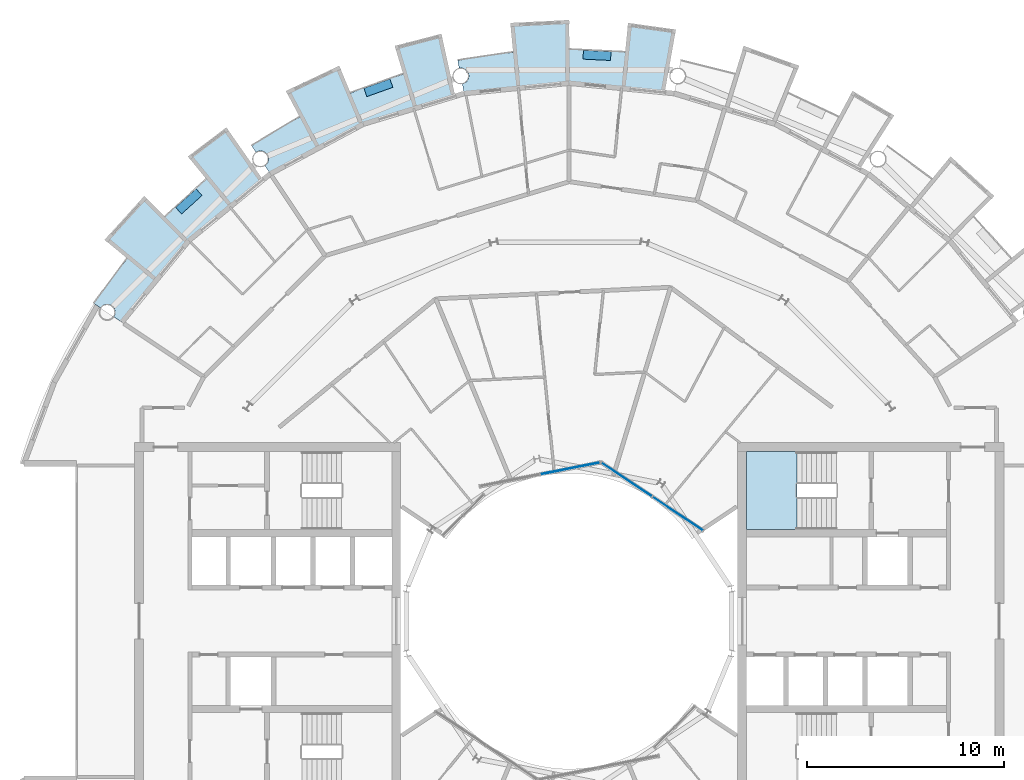
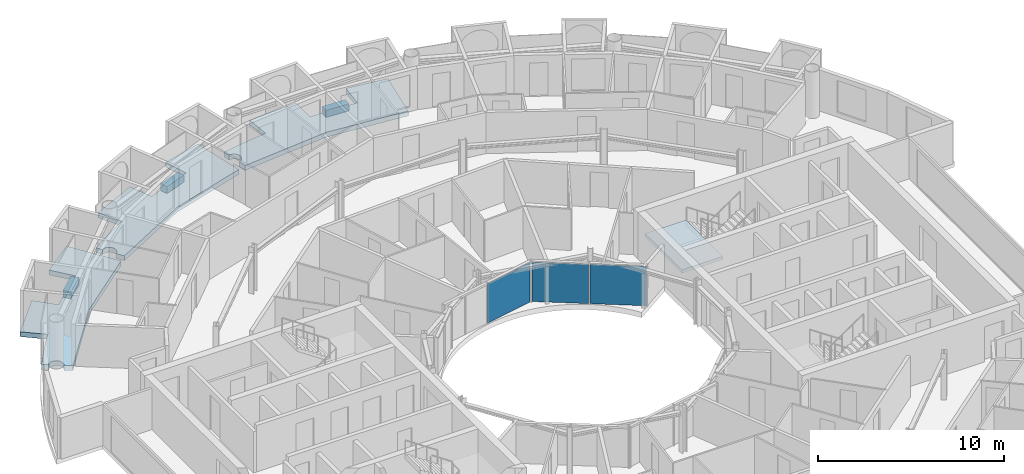
# One storey, part 13 of 29: 7 slabs, 3 plates, 3 elements without a shape of their own.
"""IFC4 building model written with IfcOpenShell, lengths in metres."""

from ifc_helpers import new_model, si_unit, direction, frame, origin, origin_2d, place, context, subcontext, project, spatial, polyline, rectangle, outline, extrude, material, layer, layer_set, type_object, element, aggregate, save


model = new_model("IFC4")

# Units and contexts
model_context = context("Model", 3, precision=1e-05, world=origin(), true_north=direction((0.0, 1.0)))
body_context = subcontext(model_context, "Body", "Model", "MODEL_VIEW")
ifc_project = project(units=[si_unit("LENGTHUNIT", "METRE"), si_unit("AREAUNIT", "SQUARE_METRE"), si_unit("VOLUMEUNIT", "CUBIC_METRE"), si_unit("PLANEANGLEUNIT", "RADIAN"), si_unit("MASSUNIT", "GRAM", prefix="KILO")], contexts=[model_context])

# Site, building, storey
site_placement = place(None, origin())
site = spatial("IfcSite", under=ifc_project, at=site_placement, CompositionType="ELEMENT")
building_placement = place(site_placement, origin())
building = spatial("IfcBuilding", under=site, at=building_placement, Name="Maasbend Ring Residences", CompositionType="ELEMENT")
storey_placement = place(building_placement, frame((0.0, 0.0, 202.39990234375)))
storey = spatial("IfcBuildingStorey", under=building, at=storey_placement, Name="L58", CompositionType="ELEMENT", Elevation=202.39990234375)

# Stair, slab
ifc_material_1 = material(Name="Concrete C40/50", Category="concrete")
stair_type = type_object("IfcStairType", Name="CORE STAIR 18 RISERS", PredefinedType="HALF_TURN_STAIR", material=ifc_material_1)
stair_placement = place(storey_placement, origin())
stair = element("IfcStair", 1, at=stair_placement, inside=storey, type_object=stair_type, Name="L58 Exit stair ST-E1", PredefinedType="HALF_TURN_STAIR")
ifc_material_2 = material(Name="Concrete C40/50", Category="concrete")
ifc_layer_1 = layer(ifc_material_2, 0.199951171875)
ifc_layer_set_1 = layer_set([ifc_layer_1], Name="Concrete C40/50")
slab_type_1 = type_object("IfcSlabType", Name="CORE STAIR LANDING 200", PredefinedType="LANDING", material=ifc_layer_set_1)
slab_1_placement = place(storey_placement, frame((0.0, 0.0, 1.3251953125)))
slab_1 = element("IfcSlab", 2, at=slab_1_placement, type_object=slab_type_1, Name="ST-E1 landing 1", PredefinedType="LANDING", context=body_context, shape_type="SweptSolid", body=[
    extrude(outline(polyline([(11.550048828125, 8.60009765625), (9.0, 8.60009765625), (9.0, 4.64990234375), (11.550048828125, 4.64990234375), (11.550048828125, 8.60009765625)])), origin(), (0.0, 0.0, 1.0), 0.199951171875),
])
aggregate(stair, [slab_1])

# Curtain wall, plates
ifc_material_3 = material(Name="Aluminium and clear glass", Category="aluminium")
ifc_layer_2 = layer(ifc_material_3, 0.179931640625)
ifc_layer_set_2 = layer_set([ifc_layer_2], Name="CW-W")
curtain_wall_type = type_object("IfcCurtainWallType", Name="CW-W", PredefinedType="NOTDEFINED", material=ifc_layer_set_2)
curtain_wall_1_placement = place(storey_placement, origin())
curtain_wall_1 = element("IfcCurtainWall", 3, at=curtain_wall_1_placement, inside=storey, type_object=curtain_wall_type, Name="Well curtain wall N1", PredefinedType="NOTDEFINED")
ifc_material_4 = material(Name="Glass clear laminated", Category="glass")
ifc_layer_3 = layer(ifc_material_4, 0.031982421875)
ifc_layer_set_3 = layer_set([ifc_layer_3], Name="CWP-W")
plate_type = type_object("IfcPlateType", Name="CWP-W", PredefinedType="CURTAIN_PANEL", material=ifc_layer_set_3)
plate_1_placement = place(storey_placement, frame((5.51123046875, 5.44580078125, 0.0), z_axis=(0.0, 0.0, 1.0), x_axis=(-0.831469612303, 0.55557023302, 0.0)))
plate_1 = element("IfcPlate", 4, at=plate_1_placement, type_object=plate_type, Name="Glass panel well face", PredefinedType="CURTAIN_PANEL", context=body_context, shape_type="SweptSolid", body=[
    extrude(rectangle(XDim=3.053955078125, YDim=0.031982421875, at=origin_2d()), origin(), (0.0, 0.0, 1.0), 2.580078125),
])
plate_2_placement = place(storey_placement, frame((2.922119140625, 7.17578125, 0.0), z_axis=(0.0, 0.0, 1.0), x_axis=(-0.831469612303, 0.55557023302, 0.0)))
plate_2 = element("IfcPlate", 5, at=plate_2_placement, type_object=plate_type, Name="Glass panel well face", PredefinedType="CURTAIN_PANEL", context=body_context, shape_type="SweptSolid", body=[
    extrude(rectangle(XDim=3.053955078125, YDim=0.031982421875, at=origin_2d()), origin(), (0.0, 0.0, 1.0), 2.580078125),
])
aggregate(curtain_wall_1, [plate_1, plate_2])

# Curtain wall, plate
curtain_wall_2_placement = place(storey_placement, origin())
curtain_wall_2 = element("IfcCurtainWall", 6, at=curtain_wall_2_placement, inside=storey, type_object=curtain_wall_type, Name="Well curtain wall N2", PredefinedType="NOTDEFINED")
plate_3_placement = place(storey_placement, frame((0.04638671875, 7.747802734375, 0.0), z_axis=(0.0, 0.0, 1.0), x_axis=(-0.980785280403, -0.195090322016, 0.0)))
plate_3 = element("IfcPlate", 7, at=plate_3_placement, type_object=plate_type, Name="Glass panel well face", PredefinedType="CURTAIN_PANEL", context=body_context, shape_type="SweptSolid", body=[
    extrude(rectangle(XDim=3.053955078125, YDim=0.031982421875, at=origin_2d()), origin(), (0.0, 0.0, 1.0), 2.580078125),
])
aggregate(curtain_wall_2, [plate_3])

# Slabs
ifc_material_5 = material(Name="Planting with climbing greenery")
ifc_layer_4 = layer(ifc_material_5, 0.449951171875)
ifc_layer_set_4 = layer_set([ifc_layer_4], Name="PLANTER-LG")
slab_type_2 = type_object("IfcSlabType", Name="PLANTER-LG", PredefinedType="USERDEFINED", material=ifc_layer_set_4)
slab_2_placement = place(storey_placement, frame((0.0, 0.0, -0.02978515625)))
element("IfcSlab", 8, at=slab_2_placement, inside=storey, type_object=slab_type_2, Name="Planter with climbing greenery 3", ObjectType="PLANTER", PredefinedType="USERDEFINED", context=body_context, shape_type="SweptSolid", body=[
    extrude(outline(polyline([(2.1201171875, 28.89599609375), (0.721923828125, 28.965087890625), (0.699951171875, 28.514892578125), (2.097900390625, 28.446044921875), (2.1201171875, 28.89599609375)])), origin(), (0.0, 0.0, 1.0), 0.449951171875),
])
slab_3_placement = place(storey_placement, frame((0.0, 0.0, -0.02978515625)))
element("IfcSlab", 9, at=slab_3_placement, inside=storey, type_object=slab_type_2, Name="Planter with climbing greenery 4", ObjectType="PLANTER", PredefinedType="USERDEFINED", context=body_context, shape_type="SweptSolid", body=[
    extrude(outline(polyline([(-9.09912109375, 27.508056640625), (-10.4169921875, 27.035888671875), (-10.26611328125, 26.612060546875), (-8.947021484375, 27.083984375), (-9.09912109375, 27.508056640625)])), origin(), (0.0, 0.0, 1.0), 0.449951171875),
])
slab_4_placement = place(storey_placement, frame((0.0, 0.0, -0.02978515625)))
element("IfcSlab", 10, at=slab_4_placement, inside=storey, type_object=slab_type_2, Name="Planter with climbing greenery 5", ObjectType="PLANTER", PredefinedType="USERDEFINED", context=body_context, shape_type="SweptSolid", body=[
    extrude(outline(polyline([(-18.93310546875, 21.931884765625), (-19.969970703125, 20.991943359375), (-19.66796875, 20.657958984375), (-18.631103515625, 21.597900390625), (-18.93310546875, 21.931884765625)])), origin(), (0.0, 0.0, 1.0), 0.449951171875),
])
ifc_material_6 = material(Name="Concrete C40/50", Category="concrete")
ifc_layer_5 = layer(ifc_material_6, 0.199951171875)
ifc_layer_set_5 = layer_set([ifc_layer_5], Name="Concrete C40/50")
slab_type_3 = type_object("IfcSlabType", Name="SL-LOGGIA", PredefinedType="FLOOR", material=ifc_layer_set_5)
slab_5_placement = place(storey_placement, frame((0.0, 0.0, -0.349853515625)))
element("IfcSlab", 11, at=slab_5_placement, inside=storey, type_object=slab_type_3, Name="Loggia floor 1", PredefinedType="FLOOR", context=body_context, shape_type="SweptSolid", body=[
    extrude(outline(polyline([(-14.5, 25.114990234375), (-13.6708984375, 25.574951171875), (-13.6708984375, 25.575927734375), (-13.6708984375, 25.575927734375), (-13.6708984375, 25.575927734375), (-13.6708984375, 25.575927734375), (-13.6708984375, 25.575927734375), (-13.6708984375, 25.575927734375), (-13.6708984375, 25.575927734375), (-13.6708984375, 25.575927734375), (-13.6708984375, 25.575927734375), (-13.6708984375, 25.575927734375), (-13.6708984375, 25.575927734375), (-13.6708984375, 25.575927734375), (-13.6708984375, 25.575927734375), (-13.6708984375, 25.575927734375), (-13.6708984375, 25.575927734375), (-13.6708984375, 25.575927734375), (-14.3779296875, 26.89892578125), (-14.3779296875, 26.89892578125), (-14.3779296875, 26.89892578125), (-11.672119140625, 28.177978515625), (-11.672119140625, 28.177978515625), (-11.672119140625, 28.177978515625), (-11.097900390625, 26.79296875), (-11.097900390625, 26.79296875), (-11.097900390625, 26.79296875), (-11.097900390625, 26.79296875), (-11.097900390625, 26.79296875), (-11.097900390625, 26.79296875), (-11.097900390625, 26.79296875), (-11.097900390625, 26.79296875), (-11.097900390625, 26.79296875), (-11.097900390625, 26.79296875), (-11.097900390625, 26.79296875), (-11.097900390625, 26.79296875), (-11.097900390625, 26.79296875), (-11.097900390625, 26.79296875), (-11.096923828125, 26.79296875), (-11.096923828125, 26.79296875), (-11.096923828125, 26.79296875), (-10.215087890625, 27.14111328125), (-10.215087890625, 27.14111328125), (-9.322021484375, 27.4609375), (-9.322021484375, 27.4609375), (-8.4189453125, 27.7509765625), (-8.4189453125, 27.7509765625), (-8.4189453125, 27.7509765625), (-8.4189453125, 27.7509765625), (-8.4189453125, 27.7509765625), (-8.4189453125, 27.7509765625), (-8.41796875, 27.7509765625), (-8.41796875, 27.7509765625), (-8.41796875, 27.7509765625), (-8.41796875, 27.7509765625), (-8.41796875, 27.7509765625), (-8.41796875, 27.751953125), (-8.41796875, 27.751953125), (-8.41796875, 27.751953125), (-8.41796875, 27.751953125), (-8.41796875, 27.751953125), (-8.41796875, 27.751953125), (-8.85400390625, 29.18701171875), (-8.85400390625, 29.18701171875), (-8.85400390625, 29.18701171875), (-6.487060546875, 29.802001953125), (-6.487060546875, 29.802001953125), (-6.487060546875, 29.802001953125), (-5.797119140625, 26.633056640625), (-5.797119140625, 26.633056640625), (-5.797119140625, 26.633056640625), (-7.886962890625, 25.9990234375), (-10.447021484375, 25.221923828125), (-10.447021484375, 25.221923828125), (-10.447021484375, 25.221923828125), (-12.806884765625, 23.9609375), (-15.1669921875, 22.698974609375), (-15.1669921875, 22.698974609375), (-15.1669921875, 22.698974609375), (-15.44091796875, 23.10888671875), (-15.43310546875, 23.114990234375), (-15.425048828125, 23.12109375), (-15.4169921875, 23.126953125), (-15.408935546875, 23.133056640625), (-15.402099609375, 23.139892578125), (-15.39404296875, 23.14599609375), (-15.386962890625, 23.153076171875), (-15.3798828125, 23.159912109375), (-15.373046875, 23.1669921875), (-15.365966796875, 23.174072265625), (-15.35888671875, 23.181884765625), (-15.35302734375, 23.18994140625), (-15.346923828125, 23.197021484375), (-15.341064453125, 23.205078125), (-15.3349609375, 23.212890625), (-15.3291015625, 23.221923828125), (-15.323974609375, 23.22998046875), (-15.318115234375, 23.238037109375), (-15.31298828125, 23.2470703125), (-15.30908203125, 23.256103515625), (-15.303955078125, 23.264892578125), (-15.300048828125, 23.27392578125), (-15.294921875, 23.282958984375), (-15.2919921875, 23.2919921875), (-15.2880859375, 23.301025390625), (-15.283935546875, 23.31005859375), (-15.281005859375, 23.320068359375), (-15.278076171875, 23.3291015625), (-15.27490234375, 23.339111328125), (-15.27294921875, 23.34912109375), (-15.27001953125, 23.35791015625), (-15.26806640625, 23.367919921875), (-15.26708984375, 23.3779296875), (-15.264892578125, 23.387939453125), (-15.263916015625, 23.39794921875), (-15.262939453125, 23.407958984375), (-15.261962890625, 23.4169921875), (-15.260986328125, 23.427001953125), (-15.260986328125, 23.43701171875), (-15.260986328125, 23.447021484375), (-15.260986328125, 23.45703125), (-15.260986328125, 23.467041015625), (-15.261962890625, 23.47705078125), (-15.262939453125, 23.487060546875), (-15.263916015625, 23.4970703125), (-15.264892578125, 23.507080078125), (-15.26708984375, 23.51708984375), (-15.26806640625, 23.527099609375), (-15.27001953125, 23.535888671875), (-15.27294921875, 23.5458984375), (-15.27490234375, 23.555908203125), (-15.278076171875, 23.56494140625), (-15.281005859375, 23.574951171875), (-15.283935546875, 23.583984375), (-15.2880859375, 23.593994140625), (-15.2919921875, 23.60302734375), (-15.294921875, 23.612060546875), (-15.300048828125, 23.62109375), (-15.303955078125, 23.6298828125), (-15.30908203125, 23.638916015625), (-15.31298828125, 23.64794921875), (-15.318115234375, 23.656005859375), (-15.323974609375, 23.6650390625), (-15.3291015625, 23.673095703125), (-15.3349609375, 23.680908203125), (-15.341064453125, 23.68994140625), (-15.346923828125, 23.697021484375), (-15.35302734375, 23.705078125), (-15.35888671875, 23.712890625), (-15.365966796875, 23.719970703125), (-15.373046875, 23.72802734375), (-15.3798828125, 23.735107421875), (-15.386962890625, 23.741943359375), (-15.39404296875, 23.7490234375), (-15.402099609375, 23.7548828125), (-15.408935546875, 23.761962890625), (-15.4169921875, 23.76806640625), (-15.425048828125, 23.77392578125), (-15.43310546875, 23.780029296875), (-15.44091796875, 23.784912109375), (-15.449951171875, 23.791015625), (-15.4580078125, 23.7958984375), (-15.467041015625, 23.801025390625), (-15.47509765625, 23.805908203125), (-15.48388671875, 23.81005859375), (-15.492919921875, 23.81494140625), (-15.501953125, 23.819091796875), (-15.511962890625, 23.822998046875), (-15.52099609375, 23.826904296875), (-15.530029296875, 23.830078125), (-15.5400390625, 23.8330078125), (-15.549072265625, 23.8359375), (-15.55908203125, 23.839111328125), (-15.568115234375, 23.842041015625), (-15.577880859375, 23.843994140625), (-15.587890625, 23.845947265625), (-15.597900390625, 23.847900390625), (-15.60693359375, 23.85009765625), (-15.616943359375, 23.85107421875), (-15.626953125, 23.85205078125), (-15.636962890625, 23.85302734375), (-15.64697265625, 23.85302734375), (-15.656982421875, 23.85400390625), (-15.6669921875, 23.85400390625), (-15.677001953125, 23.85400390625), (-15.68701171875, 23.85302734375), (-15.697021484375, 23.85302734375), (-15.70703125, 23.85205078125), (-15.717041015625, 23.85107421875), (-15.72705078125, 23.85009765625), (-15.737060546875, 23.847900390625), (-15.74609375, 23.845947265625), (-15.756103515625, 23.843994140625), (-15.76611328125, 23.842041015625), (-15.77587890625, 23.839111328125), (-15.784912109375, 23.8359375), (-15.794921875, 23.8330078125), (-15.803955078125, 23.830078125), (-15.81298828125, 23.826904296875), (-15.822998046875, 23.822998046875), (-15.83203125, 23.819091796875), (-15.841064453125, 23.81494140625), (-15.85009765625, 23.81005859375), (-15.85888671875, 23.805908203125), (-15.866943359375, 23.801025390625), (-15.8759765625, 23.7958984375), (-15.885009765625, 23.791015625), (-15.89306640625, 23.784912109375), (-16.112060546875, 24.113037109375), (-16.112060546875, 24.113037109375), (-16.112060546875, 24.113037109375), (-15.31396484375, 24.626953125), (-15.31396484375, 24.626953125), (-14.5, 25.114990234375), (-14.5, 25.114990234375)])), origin(), (0.0, 0.0, 1.0), 0.320068359375),
])
slab_6_placement = place(storey_placement, frame((0.0, 0.0, -0.349853515625)))
element("IfcSlab", 12, at=slab_6_placement, inside=storey, type_object=slab_type_3, Name="Loggia floor 3", PredefinedType="FLOOR", context=body_context, shape_type="SweptSolid", body=[
    extrude(outline(polyline([(-3.784912109375, 28.751953125), (-2.843017578125, 28.860107421875), (-2.843017578125, 28.860107421875), (-2.843017578125, 28.860107421875), (-2.843017578125, 28.860107421875), (-2.843017578125, 28.860107421875), (-2.843017578125, 28.860107421875), (-2.843017578125, 28.860107421875), (-2.843017578125, 28.860107421875), (-2.843017578125, 28.860107421875), (-2.843017578125, 28.861083984375), (-2.843017578125, 28.861083984375), (-2.843017578125, 28.861083984375), (-2.843017578125, 28.861083984375), (-2.843017578125, 28.861083984375), (-2.843017578125, 28.861083984375), (-2.843017578125, 28.861083984375), (-2.843017578125, 28.861083984375), (-2.989990234375, 30.35302734375), (-2.989990234375, 30.35302734375), (-2.989990234375, 30.35302734375), (0.0, 30.5), (0.0, 30.5), (0.0, 30.5), (0.0, 29.0), (0.0, 29.0), (0.0, 29.0), (0.0, 29.0), (0.0, 29.0), (0.0, 29.0), (0.0, 29.0), (0.0, 29.0), (0.0, 29.0), (0.0, 29.0), (0.0, 29.0), (0.0, 29.0), (0.0, 29.0), (0.0, 29.0), (0.0, 29.0), (0.0, 29.0), (0.0, 29.0), (0.948974609375, 28.98388671875), (0.948974609375, 28.98388671875), (1.89697265625, 28.93798828125), (1.89697265625, 28.93798828125), (2.842041015625, 28.860107421875), (2.842041015625, 28.860107421875), (2.842041015625, 28.860107421875), (2.842041015625, 28.860107421875), (2.842041015625, 28.860107421875), (2.842041015625, 28.860107421875), (2.842041015625, 28.860107421875), (2.842041015625, 28.860107421875), (2.842041015625, 28.861083984375), (2.842041015625, 28.861083984375), (2.842041015625, 28.861083984375), (2.842041015625, 28.861083984375), (2.842041015625, 28.861083984375), (2.843017578125, 28.861083984375), (2.843017578125, 28.861083984375), (2.843017578125, 28.861083984375), (2.843017578125, 28.861083984375), (2.989990234375, 30.35302734375), (2.989990234375, 30.35302734375), (2.989990234375, 30.35302734375), (5.412109375, 30.01611328125), (5.412109375, 30.01611328125), (5.412109375, 30.01611328125), (4.8359375, 26.823974609375), (4.8359375, 26.823974609375), (4.8359375, 26.823974609375), (2.6630859375, 27.0380859375), (0.0, 27.300048828125), (0.0, 27.300048828125), (0.0, 27.300048828125), (-2.6630859375, 27.0380859375), (-5.325927734375, 26.77490234375), (-5.325927734375, 26.77490234375), (-5.325927734375, 26.77490234375), (-5.422119140625, 27.259033203125), (-5.422119140625, 27.259033203125), (-5.412109375, 27.260986328125), (-5.403076171875, 27.263916015625), (-5.39306640625, 27.26611328125), (-5.383056640625, 27.26904296875), (-5.3740234375, 27.27197265625), (-5.364990234375, 27.27490234375), (-5.35498046875, 27.279052734375), (-5.345947265625, 27.282958984375), (-5.3369140625, 27.285888671875), (-5.327880859375, 27.291015625), (-5.319091796875, 27.294921875), (-5.31005859375, 27.300048828125), (-5.301025390625, 27.303955078125), (-5.29296875, 27.30908203125), (-5.283935546875, 27.31494140625), (-5.27587890625, 27.320068359375), (-5.26708984375, 27.325927734375), (-5.259033203125, 27.33203125), (-5.2509765625, 27.337890625), (-5.243896484375, 27.343994140625), (-5.236083984375, 27.35009765625), (-5.22900390625, 27.35693359375), (-5.220947265625, 27.364013671875), (-5.214111328125, 27.37109375), (-5.20703125, 27.3779296875), (-5.199951171875, 27.385009765625), (-5.194091796875, 27.39306640625), (-5.18701171875, 27.39990234375), (-5.180908203125, 27.407958984375), (-5.175048828125, 27.416015625), (-5.1689453125, 27.424072265625), (-5.1640625, 27.431884765625), (-5.157958984375, 27.44091796875), (-5.153076171875, 27.448974609375), (-5.14794921875, 27.4580078125), (-5.14306640625, 27.466064453125), (-5.137939453125, 27.47509765625), (-5.134033203125, 27.48388671875), (-5.1298828125, 27.492919921875), (-5.1259765625, 27.5029296875), (-5.1220703125, 27.511962890625), (-5.118896484375, 27.52099609375), (-5.115966796875, 27.531005859375), (-5.113037109375, 27.5400390625), (-5.110107421875, 27.550048828125), (-5.10693359375, 27.55908203125), (-5.10498046875, 27.569091796875), (-5.10302734375, 27.5791015625), (-5.10107421875, 27.589111328125), (-5.09912109375, 27.597900390625), (-5.097900390625, 27.60791015625), (-5.096923828125, 27.617919921875), (-5.095947265625, 27.6279296875), (-5.094970703125, 27.637939453125), (-5.094970703125, 27.64794921875), (-5.094970703125, 27.657958984375), (-5.094970703125, 27.66796875), (-5.094970703125, 27.677978515625), (-5.095947265625, 27.68798828125), (-5.096923828125, 27.697998046875), (-5.097900390625, 27.7080078125), (-5.09912109375, 27.718017578125), (-5.10107421875, 27.72802734375), (-5.10302734375, 27.737060546875), (-5.10498046875, 27.7470703125), (-5.10693359375, 27.757080078125), (-5.110107421875, 27.76708984375), (-5.113037109375, 27.77587890625), (-5.115966796875, 27.785888671875), (-5.118896484375, 27.794921875), (-5.1220703125, 27.803955078125), (-5.1259765625, 27.81396484375), (-5.1298828125, 27.822998046875), (-5.134033203125, 27.83203125), (-5.137939453125, 27.841064453125), (-5.14306640625, 27.85009765625), (-5.14794921875, 27.85791015625), (-5.153076171875, 27.866943359375), (-5.157958984375, 27.8759765625), (-5.1640625, 27.884033203125), (-5.1689453125, 27.89208984375), (-5.175048828125, 27.89990234375), (-5.180908203125, 27.907958984375), (-5.18701171875, 27.916015625), (-5.194091796875, 27.924072265625), (-5.199951171875, 27.930908203125), (-5.20703125, 27.93798828125), (-5.214111328125, 27.946044921875), (-5.220947265625, 27.952880859375), (-5.22900390625, 27.958984375), (-5.236083984375, 27.966064453125), (-5.243896484375, 27.971923828125), (-5.2509765625, 27.97900390625), (-5.259033203125, 27.985107421875), (-5.26708984375, 27.989990234375), (-5.27587890625, 27.99609375), (-5.283935546875, 28.001953125), (-5.29296875, 28.007080078125), (-5.301025390625, 28.011962890625), (-5.31005859375, 28.01708984375), (-5.319091796875, 28.02099609375), (-5.327880859375, 28.02587890625), (-5.3369140625, 28.030029296875), (-5.345947265625, 28.033935546875), (-5.35498046875, 28.037109375), (-5.364990234375, 28.041015625), (-5.3740234375, 28.0439453125), (-5.383056640625, 28.047119140625), (-5.39306640625, 28.050048828125), (-5.403076171875, 28.052001953125), (-5.412109375, 28.054931640625), (-5.422119140625, 28.056884765625), (-5.431884765625, 28.05908203125), (-5.44189453125, 28.06005859375), (-5.451904296875, 28.06201171875), (-5.4619140625, 28.06298828125), (-5.471923828125, 28.06298828125), (-5.48193359375, 28.06396484375), (-5.491943359375, 28.06396484375), (-5.501953125, 28.06494140625), (-5.510986328125, 28.06396484375), (-5.52099609375, 28.06396484375), (-5.531005859375, 28.06298828125), (-5.541015625, 28.06298828125), (-5.551025390625, 28.06201171875), (-5.56103515625, 28.06005859375), (-5.571044921875, 28.05908203125), (-5.5810546875, 28.056884765625), (-5.5810546875, 28.056884765625), (-5.657958984375, 28.443115234375), (-5.657958984375, 28.443115234375), (-5.657958984375, 28.443115234375), (-4.72412109375, 28.613037109375), (-4.72412109375, 28.613037109375), (-3.784912109375, 28.751953125), (-3.784912109375, 28.751953125)])), origin(), (0.0, 0.0, 1.0), 0.320068359375),
])
slab_7_placement = place(storey_placement, frame((0.0, 0.0, -0.349853515625)))
element("IfcSlab", 13, at=slab_7_placement, inside=storey, type_object=slab_type_3, Name="Loggia floor 4", PredefinedType="FLOOR", context=body_context, shape_type="SweptSolid", body=[
    extrude(outline(polyline([(-23.007080078125, 17.654052734375), (-22.41796875, 18.39697265625), (-22.41796875, 18.39697265625), (-22.41796875, 18.39697265625), (-22.41796875, 18.39697265625), (-22.41796875, 18.39697265625), (-22.41796875, 18.39697265625), (-22.41796875, 18.39697265625), (-22.41796875, 18.39697265625), (-22.41796875, 18.39697265625), (-22.41796875, 18.39697265625), (-22.41796875, 18.39697265625), (-22.41796875, 18.39794921875), (-22.41796875, 18.39794921875), (-22.41796875, 18.39794921875), (-22.41796875, 18.39794921875), (-22.41796875, 18.39794921875), (-22.41796875, 18.39794921875), (-23.576904296875, 19.34912109375), (-23.576904296875, 19.34912109375), (-23.576904296875, 19.34912109375), (-21.56689453125, 21.56689453125), (-21.56689453125, 21.56689453125), (-21.56689453125, 21.56689453125), (-20.506103515625, 20.506103515625), (-20.506103515625, 20.506103515625), (-20.506103515625, 20.506103515625), (-20.506103515625, 20.506103515625), (-20.506103515625, 20.506103515625), (-20.506103515625, 20.506103515625), (-20.506103515625, 20.506103515625), (-20.506103515625, 20.506103515625), (-20.506103515625, 20.506103515625), (-20.506103515625, 20.506103515625), (-20.506103515625, 20.506103515625), (-20.506103515625, 20.506103515625), (-20.506103515625, 20.506103515625), (-20.506103515625, 20.506103515625), (-20.506103515625, 20.506103515625), (-20.506103515625, 20.506103515625), (-20.506103515625, 20.506103515625), (-19.823974609375, 21.166015625), (-19.823974609375, 21.166015625), (-19.12109375, 21.802978515625), (-19.12109375, 21.802978515625), (-18.39794921875, 22.4169921875), (-18.39794921875, 22.4169921875), (-18.39794921875, 22.4169921875), (-18.39794921875, 22.4169921875), (-18.39794921875, 22.4169921875), (-18.39794921875, 22.4169921875), (-18.39794921875, 22.4169921875), (-18.39794921875, 22.4169921875), (-18.39794921875, 22.4169921875), (-18.39794921875, 22.4169921875), (-18.39794921875, 22.4169921875), (-18.39794921875, 22.4169921875), (-18.39794921875, 22.41796875), (-18.39794921875, 22.41796875), (-18.39794921875, 22.41796875), (-18.39794921875, 22.41796875), (-18.39794921875, 22.41796875), (-19.34912109375, 23.576904296875), (-19.34912109375, 23.576904296875), (-19.34912109375, 23.576904296875), (-17.39794921875, 25.051025390625), (-17.39794921875, 25.051025390625), (-17.39794921875, 25.051025390625), (-15.547119140625, 22.386962890625), (-15.547119140625, 22.386962890625), (-15.547119140625, 22.386962890625), (-17.236083984375, 21.001953125), (-19.303955078125, 19.303955078125), (-19.303955078125, 19.303955078125), (-19.303955078125, 19.303955078125), (-21.001953125, 17.236083984375), (-22.698974609375, 15.1669921875), (-22.698974609375, 15.1669921875), (-22.698974609375, 15.1669921875), (-23.10888671875, 15.44091796875), (-23.10888671875, 15.44091796875), (-23.10400390625, 15.449951171875), (-23.09912109375, 15.4580078125), (-23.093994140625, 15.467041015625), (-23.089111328125, 15.47509765625), (-23.083984375, 15.48388671875), (-23.080078125, 15.492919921875), (-23.075927734375, 15.501953125), (-23.072021484375, 15.511962890625), (-23.068115234375, 15.52099609375), (-23.06494140625, 15.530029296875), (-23.06103515625, 15.5400390625), (-23.05810546875, 15.549072265625), (-23.055908203125, 15.55908203125), (-23.052978515625, 15.568115234375), (-23.051025390625, 15.577880859375), (-23.049072265625, 15.587890625), (-23.047119140625, 15.597900390625), (-23.044921875, 15.60693359375), (-23.0439453125, 15.616943359375), (-23.04296875, 15.626953125), (-23.0419921875, 15.636962890625), (-23.041015625, 15.64697265625), (-23.041015625, 15.656982421875), (-23.041015625, 15.6669921875), (-23.041015625, 15.677001953125), (-23.041015625, 15.68701171875), (-23.0419921875, 15.697021484375), (-23.04296875, 15.70703125), (-23.0439453125, 15.717041015625), (-23.044921875, 15.72705078125), (-23.047119140625, 15.737060546875), (-23.049072265625, 15.74609375), (-23.051025390625, 15.756103515625), (-23.052978515625, 15.76611328125), (-23.055908203125, 15.77587890625), (-23.05810546875, 15.784912109375), (-23.06103515625, 15.794921875), (-23.06494140625, 15.803955078125), (-23.068115234375, 15.81298828125), (-23.072021484375, 15.822998046875), (-23.075927734375, 15.83203125), (-23.080078125, 15.841064453125), (-23.083984375, 15.85009765625), (-23.089111328125, 15.85888671875), (-23.093994140625, 15.866943359375), (-23.09912109375, 15.8759765625), (-23.10400390625, 15.885009765625), (-23.10888671875, 15.89306640625), (-23.114990234375, 15.90087890625), (-23.12109375, 15.908935546875), (-23.126953125, 15.9169921875), (-23.133056640625, 15.925048828125), (-23.139892578125, 15.93310546875), (-23.14599609375, 15.93994140625), (-23.153076171875, 15.947021484375), (-23.159912109375, 15.955078125), (-23.1669921875, 15.9619140625), (-23.174072265625, 15.968017578125), (-23.181884765625, 15.97509765625), (-23.18994140625, 15.98095703125), (-23.197021484375, 15.988037109375), (-23.205078125, 15.993896484375), (-23.212890625, 15.9990234375), (-23.221923828125, 16.0048828125), (-23.22998046875, 16.010986328125), (-23.238037109375, 16.01611328125), (-23.2470703125, 16.02099609375), (-23.256103515625, 16.02587890625), (-23.264892578125, 16.030029296875), (-23.27392578125, 16.034912109375), (-23.282958984375, 16.0390625), (-23.2919921875, 16.04296875), (-23.301025390625, 16.0458984375), (-23.31005859375, 16.050048828125), (-23.320068359375, 16.052978515625), (-23.3291015625, 16.055908203125), (-23.339111328125, 16.05908203125), (-23.34912109375, 16.06103515625), (-23.35791015625, 16.06396484375), (-23.367919921875, 16.06591796875), (-23.3779296875, 16.068115234375), (-23.387939453125, 16.069091796875), (-23.39794921875, 16.071044921875), (-23.407958984375, 16.072021484375), (-23.4169921875, 16.072021484375), (-23.427001953125, 16.072998046875), (-23.43701171875, 16.072998046875), (-23.447021484375, 16.073974609375), (-23.45703125, 16.072998046875), (-23.467041015625, 16.072998046875), (-23.47705078125, 16.072021484375), (-23.487060546875, 16.072021484375), (-23.4970703125, 16.071044921875), (-23.507080078125, 16.069091796875), (-23.51708984375, 16.068115234375), (-23.527099609375, 16.06591796875), (-23.535888671875, 16.06396484375), (-23.5458984375, 16.06103515625), (-23.555908203125, 16.05908203125), (-23.56494140625, 16.055908203125), (-23.574951171875, 16.052978515625), (-23.583984375, 16.050048828125), (-23.593994140625, 16.0458984375), (-23.60302734375, 16.04296875), (-23.612060546875, 16.0390625), (-23.62109375, 16.034912109375), (-23.6298828125, 16.030029296875), (-23.638916015625, 16.02587890625), (-23.64794921875, 16.02099609375), (-23.656005859375, 16.01611328125), (-23.6650390625, 16.010986328125), (-23.673095703125, 16.0048828125), (-23.680908203125, 15.9990234375), (-23.68994140625, 15.993896484375), (-23.697021484375, 15.988037109375), (-23.705078125, 15.98095703125), (-23.712890625, 15.97509765625), (-23.719970703125, 15.968017578125), (-23.72802734375, 15.9619140625), (-23.735107421875, 15.955078125), (-23.741943359375, 15.947021484375), (-23.7490234375, 15.93994140625), (-23.7548828125, 15.93310546875), (-23.761962890625, 15.925048828125), (-23.76806640625, 15.9169921875), (-23.77392578125, 15.908935546875), (-23.780029296875, 15.90087890625), (-23.784912109375, 15.89306640625), (-23.784912109375, 15.89306640625), (-24.113037109375, 16.112060546875), (-24.113037109375, 16.112060546875), (-24.113037109375, 16.112060546875), (-23.572998046875, 16.89208984375), (-23.572998046875, 16.89208984375), (-23.007080078125, 17.654052734375), (-23.007080078125, 17.654052734375)])), origin(), (0.0, 0.0, 1.0), 0.320068359375),
])

save(model, "model.ifc")
